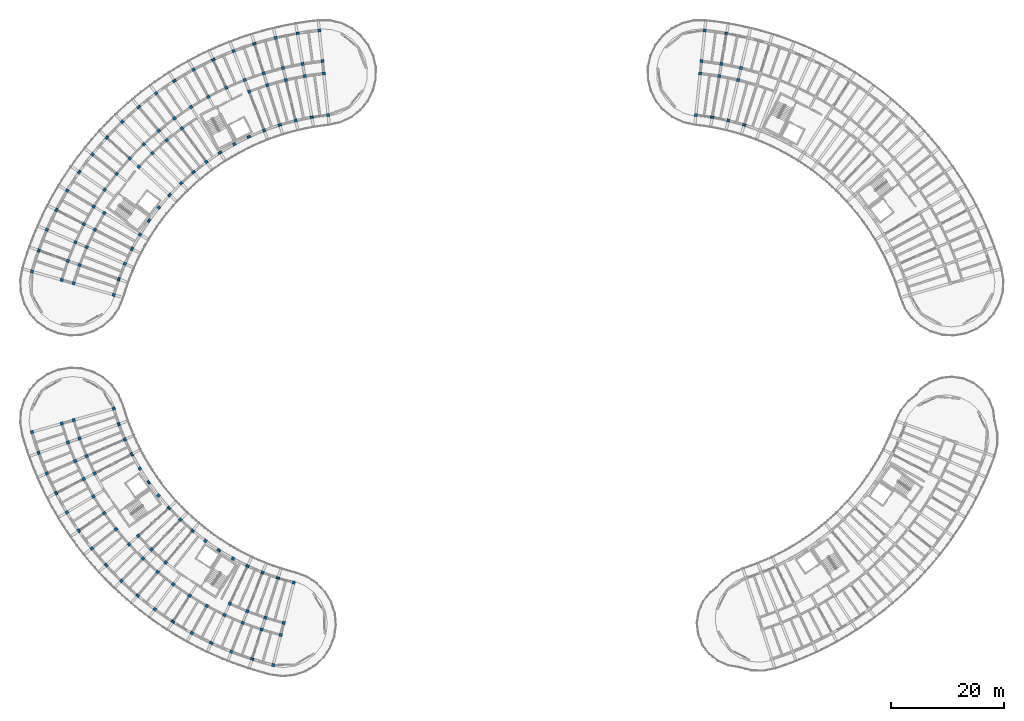
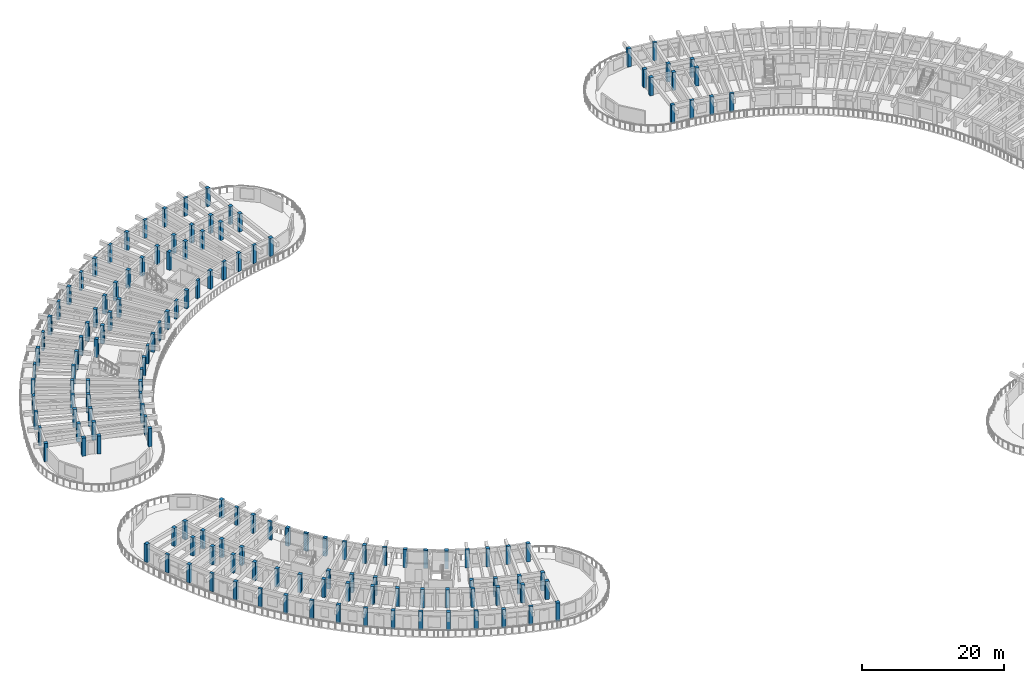
# One storey, part 1 of 81: 145 columns.
"""IFC4 building model written with IfcOpenShell, lengths in metres."""

from ifc_helpers import new_model, si_unit, direction, frame, origin, origin_2d, place, context, subcontext, project, spatial, rectangle, extrude, material, material_profile, profile_set, type_object, element, save


model = new_model("IFC4")

# Units and contexts
model_context = context("Model", 3, precision=1e-05, world=origin(), true_north=direction((0.0, 1.0)))
body_context = subcontext(model_context, "Body", "Model", "MODEL_VIEW")
ifc_project = project(units=[si_unit("LENGTHUNIT", "METRE"), si_unit("AREAUNIT", "SQUARE_METRE"), si_unit("VOLUMEUNIT", "CUBIC_METRE"), si_unit("PLANEANGLEUNIT", "RADIAN"), si_unit("MASSUNIT", "GRAM", prefix="KILO")], contexts=[model_context])

# Site, building, storey
site_placement = place(None, origin())
site = spatial("IfcSite", under=ifc_project, at=site_placement, CompositionType="ELEMENT")
building_placement = place(site_placement, origin())
building = spatial("IfcBuilding", under=site, at=building_placement, Name="Tanwirah Colonnade Gardens", CompositionType="ELEMENT")
storey_placement = place(building_placement, frame((0.0, 0.0, 18.919921875)))
storey = spatial("IfcBuildingStorey", under=building, at=storey_placement, Name="L05", CompositionType="ELEMENT", Elevation=18.919921875)

# Columns
ifc_material_1 = material(Name="Precast concrete C40/50", Category="concrete")
ifc_material_profile_1 = material_profile(ifc_material_1, rectangle(XDim=0.56005859375, YDim=0.56005859375, at=origin_2d()), Name="PC-COL 560x560")
ifc_profile_set_1 = profile_set([ifc_material_profile_1], Name="Precast concrete C40/50")
column_type_1 = type_object("IfcColumnType", Name="C-PC480", PredefinedType="COLUMN", material=ifc_profile_set_1)
for number, where, z_axis, x_axis, name in (
    (1, (22.27197265625, 52.247802734375, 0.0), (0.0, 0.0, 1.0), (-0.961261695938, -0.275637355817, 0.0), "Block C L05 Column 0-R0"),
    (2, (15.15869140625, 50.208251953125, 0.0), (0.0, 0.0, 1.0), (-0.961261695938, -0.275637355817, 0.0), "Block C L05 Column 0-R1"),
    (3, (13.043701171875, 49.601806640625, 0.0), (0.0, 0.0, 1.0), (-0.961261695938, -0.275637355817, 0.0), "Block C L05 Column 0-R2"),
    (4, (7.7568359375, 48.085693359375, 0.0), (0.0, 0.0, 1.0), (-0.961261695938, -0.275637355817, 0.0), "Block C L05 Column 0-R3"),
    (5, (16.199951171875, 46.97900390625, 0.0), (0.0, 0.0, 1.0), (-0.941176015256, -0.337916718003, 0.0), "Block C L05 Column 1-R1"),
    (6, (14.12939453125, 46.235595703125, 0.0), (0.0, 0.0, 1.0), (-0.941176015256, -0.337916718003, 0.0), "Block C L05 Column 1-R2"),
    (7, (24.236572265625, 46.775634765625, 0.0), (0.0, 0.0, 1.0), (-0.917060074385, -0.398749068925, 0.0), "Block C L05 Column 2-R0"),
    (8, (17.450439453125, 43.824951171875, 0.0), (0.0, 0.0, 1.0), (-0.917060074385, -0.398749068925, 0.0), "Block C L05 Column 2-R1"),
    (9, (15.432861328125, 42.947509765625, 0.0), (0.0, 0.0, 1.0), (-0.917060074385, -0.398749068925, 0.0), "Block C L05 Column 2-R2"),
    (10, (10.38916015625, 40.75439453125, 0.0), (0.0, 0.0, 1.0), (-0.917060074385, -0.398749068925, 0.0), "Block C L05 Column 2-R3"),
    (11, (18.904541015625, 40.75927734375, 0.0), (0.0, 0.0, 1.0), (-0.889017141486, -0.457873915117, 0.0), "Block C L05 Column 3-R1"),
    (12, (16.94873046875, 39.751953125, 0.0), (0.0, 0.0, 1.0), (-0.889017141486, -0.457873915117, 0.0), "Block C L05 Column 3-R2"),
    (13, (26.89892578125, 41.6064453125, 0.0), (0.0, 0.0, 1.0), (-0.857167300702, -0.51503807491, 0.0), "Block C L05 Column 4-R0"),
    (14, (18.670166015625, 36.662109375, 0.0), (0.0, 0.0, 1.0), (-0.857167300702, -0.51503807491, 0.0), "Block C L05 Column 4-R2"),
    (15, (13.95556640625, 33.82958984375, 0.0), (0.0, 0.0, 1.0), (-0.857167300702, -0.51503807491, 0.0), "Block C L05 Column 4-R3"),
    (16, (20.590087890625, 33.691650390625, 0.0), (0.0, 0.0, 1.0), (-0.821646937942, -0.569996762596, 0.0), "Block C L05 Column 5-R2"),
    (17, (30.213134765625, 36.829345703125, 0.0), (0.0, 0.0, 1.0), (-0.782608156852, -0.622514636638, 0.0), "Block C L05 Column 6-R0"),
    (18, (22.699951171875, 30.85302734375, 0.0), (0.0, 0.0, 1.0), (-0.782608156852, -0.622514636638, 0.0), "Block C L05 Column 6-R2"),
    (19, (18.395751953125, 27.42919921875, 0.0), (0.0, 0.0, 1.0), (-0.782608156852, -0.622514636638, 0.0), "Block C L05 Column 6-R3"),
    (20, (26.61962890625, 29.6376953125, 0.0), (0.0, 0.0, 1.0), (-0.740218127487, -0.672366807435, 0.0), "Block C L05 Column 7-R1"),
    (21, (24.9912109375, 28.15869140625, 0.0), (0.0, 0.0, 1.0), (-0.740218127487, -0.672366807435, 0.0), "Block C L05 Column 7-R2"),
    (22, (34.122314453125, 32.525390625, 0.0), (0.0, 0.0, 1.0), (-0.694658370459, -0.719339800339, 0.0), "Block C L05 Column 8-R0"),
    (23, (28.98193359375, 27.2021484375, 0.0), (0.0, 0.0, 1.0), (-0.694658370459, -0.719339800339, 0.0), "Block C L05 Column 8-R1"),
    (24, (27.45361328125, 25.61962890625, 0.0), (0.0, 0.0, 1.0), (-0.694658370459, -0.719339800339, 0.0), "Block C L05 Column 8-R2"),
    (25, (23.633056640625, 21.663330078125, 0.0), (0.0, 0.0, 1.0), (-0.694658370459, -0.719339800339, 0.0), "Block C L05 Column 8-R3"),
    (26, (31.49853515625, 24.926513671875, 0.0), (0.0, 0.0, 1.0), (-0.646123979643, -0.763232469783, 0.0), "Block C L05 Column 9-R1"),
    (27, (30.076904296875, 23.247314453125, 0.0), (0.0, 0.0, 1.0), (-0.646123979643, -0.763232469783, 0.0), "Block C L05 Column 9-R2"),
    (28, (38.56005859375, 28.7685546875, 0.0), (0.0, 0.0, 1.0), (-0.594822786751, -0.803856860617, 0.0), "Block C L05 Column 10-R0"),
    (29, (32.849853515625, 21.051513671875, 0.0), (0.0, 0.0, 1.0), (-0.594822786751, -0.803856860617, 0.0), "Block C L05 Column 10-R2"),
    (30, (29.578369140625, 16.63037109375, 0.0), (0.0, 0.0, 1.0), (-0.594822786751, -0.803856860617, 0.0), "Block C L05 Column 10-R3"),
    (31, (35.76025390625, 19.041748046875, 0.0), (0.0, 0.0, 1.0), (-0.540974471368, -0.841039012964, 0.0), "Block C L05 Column 11-R2"),
    (32, (43.4501953125, 25.623046875, 0.0), (0.0, 0.0, 1.0), (-0.484809620246, -0.874619707139, 0.0), "Block C L05 Column 12-R0"),
    (33, (38.796142578125, 17.226806640625, 0.0), (0.0, 0.0, 1.0), (-0.484809620246, -0.874619707139, 0.0), "Block C L05 Column 12-R2"),
    (34, (36.129638671875, 12.41650390625, 0.0), (0.0, 0.0, 1.0), (-0.484809620246, -0.874619707139, 0.0), "Block C L05 Column 12-R3"),
    (35, (42.88232421875, 17.60400390625, 0.0), (0.0, 0.0, 1.0), (-0.426568739901, -0.904455145454, 0.0), "Block C L05 Column 13-R1"),
    (36, (41.94384765625, 15.6142578125, 0.0), (0.0, 0.0, 1.0), (-0.426568739901, -0.904455145454, 0.0), "Block C L05 Column 13-R2"),
    (37, (48.708984375, 23.142822265625, 0.0), (0.0, 0.0, 1.0), (-0.366501226724, -0.930417567982, 0.0), "Block C L05 Column 14-R0"),
    (38, (45.996826171875, 16.2578125, 0.0), (0.0, 0.0, 1.0), (-0.366501226724, -0.930417567982, 0.0), "Block C L05 Column 14-R1"),
    (39, (45.190673828125, 14.2109375, 0.0), (0.0, 0.0, 1.0), (-0.366501226724, -0.930417567982, 0.0), "Block C L05 Column 14-R2"),
    (40, (43.1748046875, 9.09375, 0.0), (0.0, 0.0, 1.0), (-0.366501226724, -0.930417567982, 0.0), "Block C L05 Column 14-R3"),
    (41, (49.19287109375, 15.1181640625, 0.0), (0.0, 0.0, 1.0), (-0.304864299028, -0.952395799643, 0.0), "Block C L05 Column 15-R1"),
    (42, (48.52197265625, 13.02294921875, 0.0), (0.0, 0.0, 1.0), (-0.304864299028, -0.952395799643, 0.0), "Block C L05 Column 15-R2"),
    (43, (54.24658203125, 21.370361328125, 0.0), (0.0, 0.0, 1.0), (-0.2419218956, -0.970295726276, 0.0), "Block C L05 Column 16-R0"),
    (44, (52.456298828125, 14.190185546875, 0.0), (0.0, 0.0, 1.0), (-0.2419218956, -0.970295726276, 0.0), "Block C L05 Column 16-R1"),
    (45, (51.924072265625, 12.055419921875, 0.0), (0.0, 0.0, 1.0), (-0.2419218956, -0.970295726276, 0.0), "Block C L05 Column 16-R2"),
    (46, (50.593505859375, 6.718994140625, 0.0), (0.0, 0.0, 1.0), (-0.2419218956, -0.970295726276, 0.0), "Block C L05 Column 16-R3"),
):
    element("IfcColumn", number, at=place(storey_placement, frame(where, z_axis=z_axis, x_axis=x_axis)), inside=storey, type_object=column_type_1, Name=name, PredefinedType="COLUMN", context=body_context, shape_type="SweptSolid", body=[
        extrude(rectangle(XDim=0.56005859375, YDim=0.56005859375, at=origin_2d()), origin(), (0.0, 0.0, 1.0), 3.110107421875),
    ])
ifc_material_2 = material(Name="Precast concrete C45/55", Category="concrete")
ifc_material_profile_2 = material_profile(ifc_material_2, rectangle(XDim=0.550048828125, YDim=0.550048828125, at=origin_2d()), Name="PC-COL 550x550")
ifc_profile_set_2 = profile_set([ifc_material_profile_2], Name="Precast concrete C45/55")
column_type_2 = type_object("IfcColumnType", Name="C-PC550", PredefinedType="COLUMN", material=ifc_profile_set_2)
for number, where, z_axis, x_axis, name in (
    (47, (60.353759765625, 104.406494140625, 0.0), (0.0, 0.0, 1.0), (-0.104528463268, 0.994521895368, 0.0), "Block A L05 Column 0-R0"),
    (48, (59.580078125, 111.765869140625, 0.0), (0.0, 0.0, 1.0), (-0.104528463268, 0.994521895368, 0.0), "Block A L05 Column 0-R1"),
    (49, (59.350341796875, 113.953857421875, 0.0), (0.0, 0.0, 1.0), (-0.104528463268, 0.994521895368, 0.0), "Block A L05 Column 0-R2"),
    (50, (58.775390625, 119.423828125, 0.0), (0.0, 0.0, 1.0), (-0.104528463268, 0.994521895368, 0.0), "Block A L05 Column 0-R3"),
    (51, (56.1943359375, 111.296875, 0.0), (0.0, 0.0, 1.0), (-0.169827298811, 0.985473839622, 0.0), "Block A L05 Column 1-R1"),
    (52, (55.82080078125, 113.46484375, 0.0), (0.0, 0.0, 1.0), (-0.169827298811, 0.985473839622, 0.0), "Block A L05 Column 1-R2"),
    (53, (54.58154296875, 103.411865234375, 0.0), (0.0, 0.0, 1.0), (-0.23438809799, 0.972143106503, 0.0), "Block A L05 Column 2-R0"),
    (54, (52.846923828125, 110.605712890625, 0.0), (0.0, 0.0, 1.0), (-0.23438809799, 0.972143106503, 0.0), "Block A L05 Column 2-R1"),
    (55, (52.331298828125, 112.744384765625, 0.0), (0.0, 0.0, 1.0), (-0.23438809799, 0.972143106503, 0.0), "Block A L05 Column 2-R2"),
    (56, (51.042236328125, 118.091064453125, 0.0), (0.0, 0.0, 1.0), (-0.23438809799, 0.972143106503, 0.0), "Block A L05 Column 2-R3"),
    (57, (49.55224609375, 109.6953125, 0.0), (0.0, 0.0, 1.0), (-0.297930292146, 0.954587628781, 0.0), "Block A L05 Column 3-R1"),
    (58, (48.89697265625, 111.79541015625, 0.0), (0.0, 0.0, 1.0), (-0.297930292146, 0.954587628781, 0.0), "Block A L05 Column 3-R2"),
    (59, (48.989990234375, 101.666748046875, 0.0), (0.0, 0.0, 1.0), (-0.360177739278, 0.932883699144, 0.0), "Block A L05 Column 4-R0"),
    (60, (46.32470703125, 108.570068359375, 0.0), (0.0, 0.0, 1.0), (-0.360177739278, 0.932883699144, 0.0), "Block A L05 Column 4-R1"),
    (61, (45.532470703125, 110.622314453125, 0.0), (0.0, 0.0, 1.0), (-0.360177739278, 0.932883699144, 0.0), "Block A L05 Column 4-R2"),
    (62, (43.551513671875, 115.753173828125, 0.0), (0.0, 0.0, 1.0), (-0.360177739278, 0.932883699144, 0.0), "Block A L05 Column 4-R3"),
    (63, (42.25244140625, 109.230224609375, 0.0), (0.0, 0.0, 1.0), (-0.420859924104, 0.907125638643, 0.0), "Block A L05 Column 5-R2"),
    (64, (43.6767578125, 99.20166015625, 0.0), (0.0, 0.0, 1.0), (-0.479713133669, 0.877425386791, 0.0), "Block A L05 Column 6-R0"),
    (65, (39.071533203125, 107.624755859375, 0.0), (0.0, 0.0, 1.0), (-0.479713133669, 0.877425386791, 0.0), "Block A L05 Column 6-R2"),
    (66, (36.43310546875, 112.45068359375, 0.0), (0.0, 0.0, 1.0), (-0.479713133669, 0.877425386791, 0.0), "Block A L05 Column 6-R3"),
    (67, (36.003173828125, 105.8134765625, 0.0), (0.0, 0.0, 1.0), (-0.536481603385, 0.843912015099, 0.0), "Block A L05 Column 7-R2"),
    (68, (38.733642578125, 96.05908203125, 0.0), (0.0, 0.0, 1.0), (-0.590918628541, 0.806731166153, 0.0), "Block A L05 Column 8-R0"),
    (69, (34.36083984375, 102.029052734375, 0.0), (0.0, 0.0, 1.0), (-0.590918628541, 0.806731166153, 0.0), "Block A L05 Column 8-R1"),
    (70, (33.060791015625, 103.8037109375, 0.0), (0.0, 0.0, 1.0), (-0.590918628541, 0.806731166153, 0.0), "Block A L05 Column 8-R2"),
    (71, (29.810791015625, 108.24072265625, 0.0), (0.0, 0.0, 1.0), (-0.590918628541, 0.806731166153, 0.0), "Block A L05 Column 8-R3"),
    (72, (31.67138671875, 99.91943359375, 0.0), (0.0, 0.0, 1.0), (-0.642787636427, 0.766044420681, 0.0), "Block A L05 Column 9-R1"),
    (73, (30.25732421875, 101.604736328125, 0.0), (0.0, 0.0, 1.0), (-0.642787636427, 0.766044420681, 0.0), "Block A L05 Column 9-R2"),
    (74, (34.24658203125, 92.294189453125, 0.0), (0.0, 0.0, 1.0), (-0.691863214436, 0.722028595355, 0.0), "Block A L05 Column 10-R0"),
    (75, (29.126953125, 97.63720703125, 0.0), (0.0, 0.0, 1.0), (-0.691863214436, 0.722028595355, 0.0), "Block A L05 Column 10-R1"),
    (76, (27.604736328125, 99.2255859375, 0.0), (0.0, 0.0, 1.0), (-0.691863214436, 0.722028595355, 0.0), "Block A L05 Column 10-R2"),
    (77, (23.799560546875, 103.19677734375, 0.0), (0.0, 0.0, 1.0), (-0.691863214436, 0.722028595355, 0.0), "Block A L05 Column 10-R3"),
    (78, (26.73828125, 95.1923828125, 0.0), (0.0, 0.0, 1.0), (-0.737932089665, 0.674874974378, 0.0), "Block A L05 Column 11-R1"),
    (79, (25.11474609375, 96.677001953125, 0.0), (0.0, 0.0, 1.0), (-0.737932089665, 0.674874974378, 0.0), "Block A L05 Column 11-R2"),
    (80, (30.293701171875, 87.971923828125, 0.0), (0.0, 0.0, 1.0), (-0.780794055756, 0.624788478204, 0.0), "Block A L05 Column 12-R0"),
    (81, (22.798095703125, 93.9697265625, 0.0), (0.0, 0.0, 1.0), (-0.780794055756, 0.624788478204, 0.0), "Block A L05 Column 12-R2"),
    (82, (18.503662109375, 97.40625, 0.0), (0.0, 0.0, 1.0), (-0.780794055756, 0.624788478204, 0.0), "Block A L05 Column 12-R3"),
    (83, (20.664794921875, 91.115966796875, 0.0), (0.0, 0.0, 1.0), (-0.82026284295, 0.57198677299, 0.0), "Block A L05 Column 13-R2"),
    (84, (26.943359375, 83.167236328125, 0.0), (0.0, 0.0, 1.0), (-0.856166927587, 0.516699324663, 0.0), "Block A L05 Column 14-R0"),
    (85, (20.607666015625, 86.990966796875, 0.0), (0.0, 0.0, 1.0), (-0.856166927587, 0.516699324663, 0.0), "Block A L05 Column 14-R1"),
    (86, (18.72412109375, 88.127685546875, 0.0), (0.0, 0.0, 1.0), (-0.856166927587, 0.516699324663, 0.0), "Block A L05 Column 14-R2"),
    (87, (14.015380859375, 90.969482421875, 0.0), (0.0, 0.0, 1.0), (-0.856166927587, 0.516699324663, 0.0), "Block A L05 Column 14-R3"),
    (88, (18.93896484375, 84.0078125, 0.0), (0.0, 0.0, 1.0), (-0.888350277506, 0.459166401705, 0.0), "Block A L05 Column 15-R1"),
    (89, (16.984619140625, 85.017822265625, 0.0), (0.0, 0.0, 1.0), (-0.888350277506, 0.459166401705, 0.0), "Block A L05 Column 15-R2"),
    (90, (24.25390625, 77.9638671875, 0.0), (0.0, 0.0, 1.0), (-0.916673030138, 0.399638030994, 0.0), "Block A L05 Column 16-R0"),
    (91, (17.470458984375, 80.921142578125, 0.0), (0.0, 0.0, 1.0), (-0.916673030138, 0.399638030994, 0.0), "Block A L05 Column 16-R1"),
    (92, (15.453857421875, 81.800537109375, 0.0), (0.0, 0.0, 1.0), (-0.916673030138, 0.399638030994, 0.0), "Block A L05 Column 16-R2"),
    (93, (10.412109375, 83.99853515625, 0.0), (0.0, 0.0, 1.0), (-0.916673030138, 0.399638030994, 0.0), "Block A L05 Column 16-R3"),
    (94, (16.20849609375, 77.74462890625, 0.0), (0.0, 0.0, 1.0), (-0.941012100316, 0.338372911236, 0.0), "Block A L05 Column 17-R1"),
    (95, (14.13818359375, 78.489013671875, 0.0), (0.0, 0.0, 1.0), (-0.941012100316, 0.338372911236, 0.0), "Block A L05 Column 17-R2"),
    (96, (22.27197265625, 72.4521484375, 0.0), (0.0, 0.0, 1.0), (-0.961261715181, 0.275637288708, 0.0), "Block A L05 Column 18-R0"),
    (97, (15.15869140625, 74.49169921875, 0.0), (0.0, 0.0, 1.0), (-0.961261715181, 0.275637288708, 0.0), "Block A L05 Column 18-R1"),
    (98, (13.043701171875, 75.09814453125, 0.0), (0.0, 0.0, 1.0), (-0.961261715181, 0.275637288708, 0.0), "Block A L05 Column 18-R2"),
    (99, (7.7568359375, 76.6142578125, 0.0), (0.0, 0.0, 1.0), (-0.961261715181, 0.275637288708, 0.0), "Block A L05 Column 18-R3"),
    (100, (131.41845703125, 103.411865234375, 0.0), (0.0, 0.0, 1.0), (0.234388030122, 0.972143122866, 0.0), "Block B L05 Column 16-R0"),
    (101, (133.153076171875, 110.605712890625, 0.0), (0.0, 0.0, 1.0), (0.234388030122, 0.972143122866, 0.0), "Block B L05 Column 16-R1"),
    (102, (133.668701171875, 112.744384765625, 0.0), (0.0, 0.0, 1.0), (0.234388030122, 0.972143122866, 0.0), "Block B L05 Column 16-R2"),
    (103, (129.8056640625, 111.296875, 0.0), (0.0, 0.0, 1.0), (0.169827230012, 0.985473851478, 0.0), "Block B L05 Column 17-R1"),
    (104, (130.17919921875, 113.46484375, 0.0), (0.0, 0.0, 1.0), (0.169827230012, 0.985473851478, 0.0), "Block B L05 Column 17-R2"),
    (105, (125.646240234375, 104.406494140625, 0.0), (0.0, 0.0, 1.0), (0.104528393837, 0.994521902666, 0.0), "Block B L05 Column 18-R0"),
    (106, (126.419677734375, 111.765869140625, 0.0), (0.0, 0.0, 1.0), (0.104528393837, 0.994521902666, 0.0), "Block B L05 Column 18-R1"),
    (107, (126.649658203125, 113.953857421875, 0.0), (0.0, 0.0, 1.0), (0.104528393837, 0.994521902666, 0.0), "Block B L05 Column 18-R2"),
    (108, (127.224609375, 119.423828125, 0.0), (0.0, 0.0, 1.0), (0.104528393837, 0.994521902666, 0.0), "Block B L05 Column 18-R3"),
):
    element("IfcColumn", number, at=place(storey_placement, frame(where, z_axis=z_axis, x_axis=x_axis)), inside=storey, type_object=column_type_2, Name=name, PredefinedType="COLUMN", context=body_context, shape_type="SweptSolid", body=[
        extrude(rectangle(XDim=0.550048828125, YDim=0.550048828125, at=origin_2d()), origin(), (0.0, 0.0, 1.0), 3.110107421875),
    ])
ifc_material_profile_3 = material_profile(ifc_material_1, rectangle(XDim=0.3798828125, YDim=0.6201171875, at=origin_2d()), Name="PC-PIL 380x620")
ifc_profile_set_3 = profile_set([ifc_material_profile_3], Name="Precast concrete C40/50")
column_type_3 = type_object("IfcColumnType", Name="PIL-380", PredefinedType="PILASTER", material=ifc_profile_set_3)
for number, where, z_axis, x_axis, name in (
    (109, (57.451171875, 104.00439453125, 0.0), (0.0, 0.0, 1.0), (-0.169827298811, 0.985473839622, 0.0), "Block A L05 Column 1-R0"),
    (110, (54.88671875, 118.885009765625, 0.0), (0.0, 0.0, 1.0), (-0.169827298811, 0.985473839622, 0.0), "Block A L05 Column 1-R3"),
    (111, (51.757080078125, 102.63134765625, 0.0), (0.0, 0.0, 1.0), (-0.297930292146, 0.954587628781, 0.0), "Block A L05 Column 3-R0"),
    (112, (47.25830078125, 117.045654296875, 0.0), (0.0, 0.0, 1.0), (-0.297930292146, 0.954587628781, 0.0), "Block A L05 Column 3-R3"),
    (113, (46.292724609375, 100.521728515625, 0.0), (0.0, 0.0, 1.0), (-0.420859924104, 0.907125638643, 0.0), "Block A L05 Column 5-R0"),
    (114, (39.937744140625, 114.21923828125, 0.0), (0.0, 0.0, 1.0), (-0.420859924104, 0.907125638643, 0.0), "Block A L05 Column 5-R3"),
    (115, (41.1533203125, 97.7119140625, 0.0), (0.0, 0.0, 1.0), (-0.536481603385, 0.843912015099, 0.0), "Block A L05 Column 7-R0"),
    (116, (33.052490234375, 110.455078125, 0.0), (0.0, 0.0, 1.0), (-0.536481603385, 0.843912015099, 0.0), "Block A L05 Column 7-R3"),
    (117, (36.427978515625, 94.250732421875, 0.0), (0.0, 0.0, 1.0), (-0.642787636427, 0.766044420681, 0.0), "Block A L05 Column 9-R0"),
    (118, (26.721923828125, 105.81787109375, 0.0), (0.0, 0.0, 1.0), (-0.642787636427, 0.766044420681, 0.0), "Block A L05 Column 9-R3"),
    (119, (32.198974609375, 90.1982421875, 0.0), (0.0, 0.0, 1.0), (-0.737932089665, 0.674874974378, 0.0), "Block A L05 Column 11-R0"),
    (120, (21.05615234375, 100.388916015625, 0.0), (0.0, 0.0, 1.0), (-0.737932089665, 0.674874974378, 0.0), "Block A L05 Column 11-R3"),
    (121, (28.539306640625, 85.624755859375, 0.0), (0.0, 0.0, 1.0), (-0.82026284295, 0.57198677299, 0.0), "Block A L05 Column 13-R0"),
    (122, (16.1533203125, 94.26171875, 0.0), (0.0, 0.0, 1.0), (-0.82026284295, 0.57198677299, 0.0), "Block A L05 Column 13-R3"),
    (123, (25.512939453125, 80.60986328125, 0.0), (0.0, 0.0, 1.0), (-0.888350277506, 0.459166401705, 0.0), "Block A L05 Column 15-R0"),
    (124, (12.0986328125, 87.54345703125, 0.0), (0.0, 0.0, 1.0), (-0.888350277506, 0.459166401705, 0.0), "Block A L05 Column 15-R3"),
    (125, (23.172119140625, 75.24072265625, 0.0), (0.0, 0.0, 1.0), (-0.941012100316, 0.338372911236, 0.0), "Block A L05 Column 17-R0"),
    (126, (8.962646484375, 80.35009765625, 0.0), (0.0, 0.0, 1.0), (-0.941012100316, 0.338372911236, 0.0), "Block A L05 Column 17-R3"),
    (127, (134.242919921875, 102.63134765625, 0.0), (0.0, 0.0, 1.0), (0.297930225503, 0.954587649581, 0.0), "Block B L05 Column 15-R0"),
    (128, (128.548828125, 104.00439453125, 0.0), (0.0, 0.0, 1.0), (0.169827230012, 0.985473851478, 0.0), "Block B L05 Column 17-R0"),
    (129, (131.11328125, 118.885009765625, 0.0), (0.0, 0.0, 1.0), (0.169827230012, 0.985473851478, 0.0), "Block B L05 Column 17-R3"),
    (130, (23.164794921875, 49.4794921875, 0.0), (0.0, 0.0, 1.0), (-0.941176015256, -0.337916718003, 0.0), "Block C L05 Column 1-R0"),
    (131, (8.952880859375, 44.376953125, 0.0), (0.0, 0.0, 1.0), (-0.941176015256, -0.337916718003, 0.0), "Block C L05 Column 1-R3"),
    (132, (25.483154296875, 44.1474609375, 0.0), (0.0, 0.0, 1.0), (-0.889017141486, -0.457873915117, 0.0), "Block C L05 Column 3-R0"),
    (133, (12.05908203125, 37.233642578125, 0.0), (0.0, 0.0, 1.0), (-0.889017141486, -0.457873915117, 0.0), "Block C L05 Column 3-R3"),
    (134, (28.477783203125, 39.16357421875, 0.0), (0.0, 0.0, 1.0), (-0.821646937942, -0.569996762596, 0.0), "Block C L05 Column 5-R0"),
    (135, (16.071044921875, 30.556640625, 0.0), (0.0, 0.0, 1.0), (-0.821646937942, -0.569996762596, 0.0), "Block C L05 Column 5-R3"),
    (136, (32.097412109375, 34.61328125, 0.0), (0.0, 0.0, 1.0), (-0.740218127487, -0.672366807435, 0.0), "Block C L05 Column 7-R0"),
    (137, (20.919921875, 24.46044921875, 0.0), (0.0, 0.0, 1.0), (-0.740218127487, -0.672366807435, 0.0), "Block C L05 Column 7-R3"),
    (138, (36.27978515625, 30.57421875, 0.0), (0.0, 0.0, 1.0), (-0.646123979643, -0.763232469783, 0.0), "Block C L05 Column 9-R0"),
    (139, (26.5234375, 19.049560546875, 0.0), (0.0, 0.0, 1.0), (-0.646123979643, -0.763232469783, 0.0), "Block C L05 Column 9-R3"),
    (140, (40.95361328125, 27.11572265625, 0.0), (0.0, 0.0, 1.0), (-0.540974471368, -0.841039012964, 0.0), "Block C L05 Column 11-R0"),
    (141, (32.784912109375, 14.416015625, 0.0), (0.0, 0.0, 1.0), (-0.540974471368, -0.841039012964, 0.0), "Block C L05 Column 11-R3"),
    (142, (46.0390625, 24.296875, 0.0), (0.0, 0.0, 1.0), (-0.426568739901, -0.904455145454, 0.0), "Block C L05 Column 13-R0"),
    (143, (39.597900390625, 10.6396484375, 0.0), (0.0, 0.0, 1.0), (-0.426568739901, -0.904455145454, 0.0), "Block C L05 Column 13-R3"),
    (144, (51.44873046875, 22.166015625, 0.0), (0.0, 0.0, 1.0), (-0.304864299028, -0.952395799643, 0.0), "Block C L05 Column 15-R0"),
    (145, (46.84521484375, 7.784912109375, 0.0), (0.0, 0.0, 1.0), (-0.304864299028, -0.952395799643, 0.0), "Block C L05 Column 15-R3"),
):
    element("IfcColumn", number, at=place(storey_placement, frame(where, z_axis=z_axis, x_axis=x_axis)), inside=storey, type_object=column_type_3, Name=name, PredefinedType="PILASTER", context=body_context, shape_type="SweptSolid", body=[
        extrude(rectangle(XDim=0.3798828125, YDim=0.6201171875, at=origin_2d()), origin(), (0.0, 0.0, 1.0), 3.110107421875),
    ])

save(model, "model.ifc")
